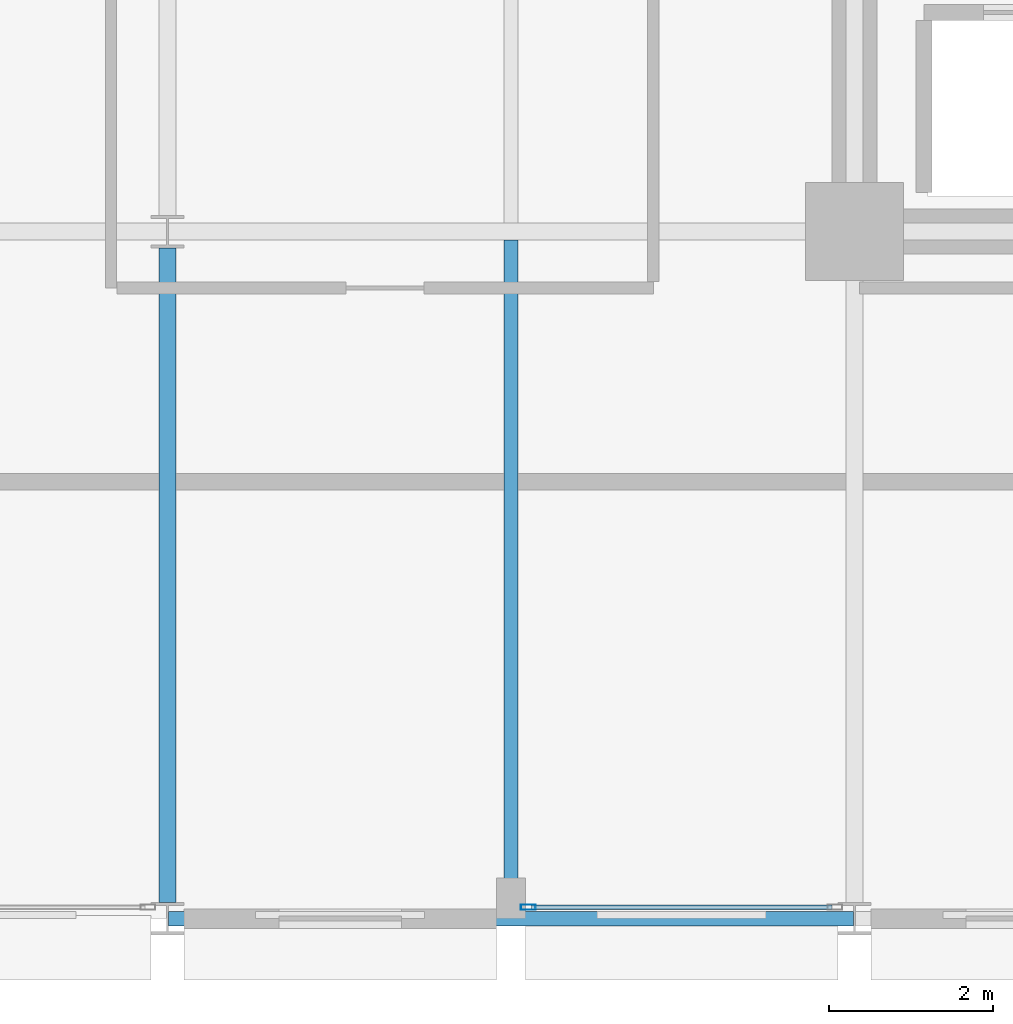
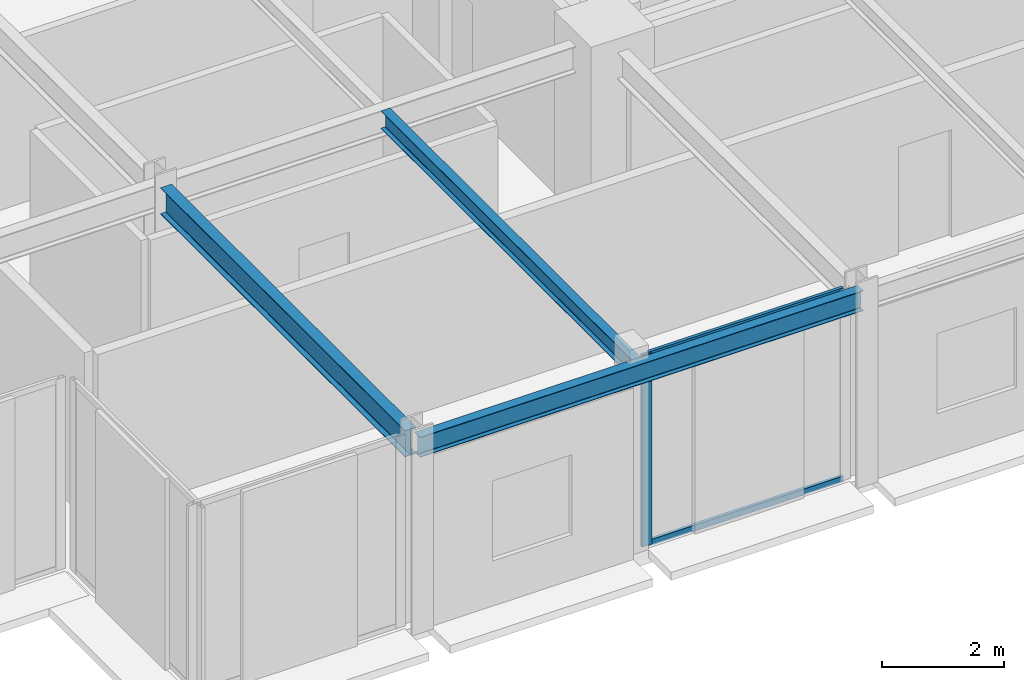
# One storey, part 3 of 30: 3 beams, 3 members, 1 element without a shape of its own.
"""IFC4 building model written with IfcOpenShell, lengths in metres."""

import ifcopenshell
import ifcopenshell.guid

model = None  # the IFC model being written
_history = None  # IfcOwnerHistory: only IFC2X3 demands one
_inside = {}  # id of a spatial element -> (the spatial element, [elements in it])
_under = {}  # id of a project, library or spatial element -> (it, [spatial elements below it])
_declared = {}  # id of a project -> (the project, [libraries it declares])
_typed = {}  # id of a type object -> (the type object, [elements of that type])
_made_of = {}  # id of a material, layer set ... -> (it, [elements and type objects made of it])


def new_model(schema):
    """Start an empty IFC model of exactly this schema.

    Asked for "IFC4X3", IfcOpenShell would pick the latest addendum, in which some entities
    have other attributes; the version numbers below select the first issue.
    IFC2X3 requires an IfcOwnerHistory on every rooted entity: one is made here for all.
    """
    global model, _history
    if schema == "IFC4X3":
        model = ifcopenshell.file(schema_version=(4, 3, 0, 0))
    else:
        model = ifcopenshell.file(schema=schema)
    _inside.clear()
    _under.clear()
    _declared.clear()
    _typed.clear()
    _made_of.clear()
    _history = None
    if model.schema == "IFC2X3":
        org = make("IfcOrganization", Name="unknown")
        user = make(
            "IfcPersonAndOrganization",
            ThePerson=make("IfcPerson", FamilyName="unknown"),
            TheOrganization=org,
        )
        app = make(
            "IfcApplication",
            ApplicationDeveloper=org,
            Version="unknown",
            ApplicationFullName="unknown",
            ApplicationIdentifier="unknown",
        )
        _history = make(
            "IfcOwnerHistory",
            OwningUser=user,
            OwningApplication=app,
            ChangeAction="ADDED",
            CreationDate=0,
        )
    return model


def make(cls, **values):
    """One entity of the class cls with the attributes given. An attribute that is None is left unset."""
    return model.create_entity(
        cls, **{name: value for name, value in values.items() if value is not None}
    )


def rooted(cls, **values):
    """An entity with a GlobalId (a new one), such as an element, a storey or a relation."""
    return make(cls, GlobalId=ifcopenshell.guid.new(), OwnerHistory=_history, **values)


def si_unit(unit_type, name, prefix=None):
    """IfcSIUnit, for example si_unit("LENGTHUNIT", "METRE", prefix="MILLI")."""
    return make("IfcSIUnit", UnitType=unit_type, Prefix=prefix, Name=name)


def assignment(units):
    """IfcUnitAssignment: the units of a project."""
    return None if units is None else make("IfcUnitAssignment", Units=units)


def point(xyz):
    """IfcCartesianPoint."""
    return None if xyz is None else make("IfcCartesianPoint", Coordinates=xyz)


def direction(xyz):
    """IfcDirection."""
    return None if xyz is None else make("IfcDirection", DirectionRatios=xyz)


def frame(location, z_axis=None, x_axis=None):
    """IfcAxis2Placement3D, a coordinate frame: its origin and axes. An axis left out is left unset."""
    return make(
        "IfcAxis2Placement3D",
        Location=point(location),
        Axis=direction(z_axis),
        RefDirection=direction(x_axis),
    )


def frame_2d(location, x_axis=None):
    """IfcAxis2Placement2D, a coordinate frame in the plane: its origin and x axis."""
    return make(
        "IfcAxis2Placement2D", Location=point(location), RefDirection=direction(x_axis)
    )


def origin():
    """The frame at (0, 0, 0) with its axes left unset."""
    return frame((0.0, 0.0, 0.0))


def origin_2d():
    """The frame at (0, 0) in the plane with its x axis left unset."""
    return frame_2d((0.0, 0.0))


def place(relative_to, where):
    """IfcLocalPlacement: puts the frame where relative to a parent placement (None: the world)."""
    return make(
        "IfcLocalPlacement", PlacementRelTo=relative_to, RelativePlacement=where
    )


def context(
    kind, dimensions, precision=None, world=None, true_north=None, identifier=None
):
    """IfcGeometricRepresentationContext, for example the 3D "Model" context."""
    return make(
        "IfcGeometricRepresentationContext",
        ContextIdentifier=identifier,
        ContextType=kind,
        CoordinateSpaceDimension=dimensions,
        Precision=precision,
        WorldCoordinateSystem=world,
        TrueNorth=true_north,
    )


def subcontext(parent, identifier, kind, view, scale=None):
    """IfcGeometricRepresentationSubContext, for example "Body" below "Model"."""
    return make(
        "IfcGeometricRepresentationSubContext",
        ContextIdentifier=identifier,
        ContextType=kind,
        ParentContext=parent,
        TargetScale=scale,
        TargetView=view,
    )


def project(units=None, contexts=None):
    """IfcProject with its units and contexts."""
    return rooted(
        "IfcProject",
        Name="project",
        RepresentationContexts=contexts,
        UnitsInContext=assignment(units),
    )


def spatial(cls, under=None, at=None, **own):
    """A site, building, storey or space (cls), placed at a placement, below another one or the project."""
    s = rooted(cls, ObjectPlacement=at, **own)
    if under is not None:
        _under.setdefault(under.id(), (under, []))[1].append(s)
    return s


def profile(cls, at=None, kind="AREA", **sizes):
    """A parametric profile (cls). Its sizes go by their IFC names, for example OverallWidth=200.0."""
    return make(cls, ProfileType=kind, Position=at, **sizes)


def hollow_rectangle(**sizes):
    """IfcRectangleHollowProfileDef."""
    return profile("IfcRectangleHollowProfileDef", **sizes)


def i_section(**sizes):
    """IfcIShapeProfileDef."""
    return profile("IfcIShapeProfileDef", **sizes)


def extrude(swept, where, along, depth):
    """IfcExtrudedAreaSolid: the profile swept, set in the frame where, extruded along a direction by depth."""
    return make(
        "IfcExtrudedAreaSolid",
        SweptArea=swept,
        Position=where,
        ExtrudedDirection=direction(along),
        Depth=depth,
    )


def shape(context_of_items, identifier, shape_type, items):
    """IfcShapeRepresentation: the items that make up one representation, for example the "Body"."""
    return make(
        "IfcShapeRepresentation",
        ContextOfItems=context_of_items,
        RepresentationIdentifier=identifier,
        RepresentationType=shape_type,
        Items=items,
    )


def material(Name=None, Category=None):
    """IfcMaterial."""
    return make("IfcMaterial", Name=Name, Category=Category)


def layer(
    of_material, thickness, ventilated=None, Name=None, Category=None, Priority=None
):
    """IfcMaterialLayer: one layer of a wall or slab, of a material (None: an air gap)."""
    return make(
        "IfcMaterialLayer",
        Material=of_material,
        LayerThickness=thickness,
        IsVentilated=ventilated,
        Name=Name,
        Category=Category,
        Priority=Priority,
    )


def layer_set(layers, Name=None):
    """IfcMaterialLayerSet."""
    return make("IfcMaterialLayerSet", MaterialLayers=layers, LayerSetName=Name)


def material_profile(
    of_material, cross_section, Name=None, Category=None, Priority=None
):
    """IfcMaterialProfile: a cross section and its material."""
    return make(
        "IfcMaterialProfile",
        Name=Name,
        Material=of_material,
        Profile=cross_section,
        Priority=Priority,
        Category=Category,
    )


def profile_set(profiles, Name=None, composite=None):
    """IfcMaterialProfileSet."""
    return make(
        "IfcMaterialProfileSet",
        Name=Name,
        MaterialProfiles=profiles,
        CompositeProfile=composite,
    )


def made_of(thing, what):
    """Note that an element or type object is made of a material, layer set ...; save() writes the relation."""
    if what is not None:
        _made_of.setdefault(what.id(), (what, []))[1].append(thing)
    return thing


def type_object(cls, material=None, **own):
    """A type object (cls), such as IfcWallType, which elements share."""
    return made_of(rooted(cls, **own), material)


def element(
    cls,
    number,
    at=None,
    inside=None,
    cuts=None,
    type_object=None,
    material=None,
    context=None,
    identifier="Body",
    shape_type=None,
    held_by="IfcProductDefinitionShape",
    body=None,
    shapes=None,
    **own,
):
    """One element of the class cls, such as IfcWall. Its Tag is "e" and its number.

    at: its placement. inside: the storey or other place that contains it. cuts: it is an
    opening in that element (IfcRelVoidsElement). A single representation is given by context,
    identifier, shape_type and body (its items); several are given by shapes. held_by: the class
    of the entity that holds the representations. save() writes the other relations.
    """
    e = rooted(cls, Tag="e%d" % number, ObjectPlacement=at, **own)
    if body is not None:
        shapes = [shape(context, identifier, shape_type, body)]
    if shapes is not None:
        e.Representation = make(held_by, Representations=shapes)
    if inside is not None:
        _inside.setdefault(inside.id(), (inside, []))[1].append(e)
    if cuts is not None:
        rooted(
            "IfcRelVoidsElement", RelatingBuildingElement=cuts, RelatedOpeningElement=e
        )
    if type_object is not None:
        _typed.setdefault(type_object.id(), (type_object, []))[1].append(e)
    return made_of(e, material)


def aggregate(whole, parts):
    """IfcRelAggregates: a whole, such as a stair, and the parts it consists of."""
    return rooted("IfcRelAggregates", RelatingObject=whole, RelatedObjects=parts)


def save(model, path):
    """Write the relations noted so far, then the file.

    IfcRelAggregates (storeys below a building ...), IfcRelContainedInSpatialStructure (elements
    in a storey), IfcRelDefinesByType, IfcRelAssociatesMaterial and IfcRelDeclares: one each for
    every whole, place, type object, material and project.
    """
    for whole, parts in _under.values():
        aggregate(whole, parts)
    for where, things in _inside.values():
        rooted(
            "IfcRelContainedInSpatialStructure",
            RelatedElements=things,
            RelatingStructure=where,
        )
    for kind, things in _typed.values():
        rooted("IfcRelDefinesByType", RelatedObjects=things, RelatingType=kind)
    for what, things in _made_of.values():
        rooted("IfcRelAssociatesMaterial", RelatedObjects=things, RelatingMaterial=what)
    for by, libraries in _declared.values():
        rooted("IfcRelDeclares", RelatingContext=by, RelatedDefinitions=libraries)
    model.write(path)


model = new_model("IFC4")

# Units and contexts
model_context = context("Model", 3, precision=1e-05, world=origin(), true_north=direction((0.0, 1.0)))
body_context = subcontext(model_context, "Body", "Model", "MODEL_VIEW")
ifc_project = project(units=[si_unit("LENGTHUNIT", "METRE"), si_unit("AREAUNIT", "SQUARE_METRE"), si_unit("VOLUMEUNIT", "CUBIC_METRE"), si_unit("PLANEANGLEUNIT", "RADIAN"), si_unit("MASSUNIT", "GRAM", prefix="KILO")], contexts=[model_context])

# Site, building, storey
site_placement = place(None, origin())
site = spatial("IfcSite", under=ifc_project, at=site_placement, CompositionType="ELEMENT")
building_placement = place(site_placement, origin())
building = spatial("IfcBuilding", under=site, at=building_placement, Name="Nerrivon Quay Data Exchange", CompositionType="ELEMENT")
storey_placement = place(building_placement, frame((0.0, 0.0, 129.5)))
storey = spatial("IfcBuildingStorey", under=building, at=storey_placement, Name="L30", CompositionType="ELEMENT", Elevation=129.5)

# Beams
ifc_material_1 = material(Name="Steel Grade 350", Category="steel")
ifc_material_profile_1 = material_profile(ifc_material_1, i_section(OverallWidth=0.208984375, OverallDepth=0.528076171875, WebThickness=0.009521484375, FlangeThickness=0.01318359375, FilletRadius=0.013916015625, at=origin_2d()), Name="530UB82.0")
ifc_profile_set_1 = profile_set([ifc_material_profile_1], Name="Steel Grade 350")
beam_type_1 = type_object("IfcBeamType", Name="BM-G4-530UB82", PredefinedType="BEAM", material=ifc_profile_set_1)
beam_1_placement = place(storey_placement, frame((8.39990234375, 0.199951171875, 3.56103515625), z_axis=(0.0, 1.0, 0.0), x_axis=(-1.0, 0.0, 0.0)))
element("IfcBeam", 1, at=beam_1_placement, inside=storey, type_object=beam_type_1, Name="L30 NS Girder X=8.4 (0.0..8.4)", PredefinedType="BEAM", context=body_context, shape_type="SweptSolid", body=[
    extrude(i_section(OverallWidth=0.208984375, OverallDepth=0.528076171875, WebThickness=0.009521484375, FlangeThickness=0.01318359375, FilletRadius=0.013916015625, at=origin_2d()), origin(), (0.0, 0.0, 1.0), 8.0),
])
ifc_material_profile_2 = material_profile(ifc_material_1, i_section(OverallWidth=0.1708984375, OverallDepth=0.35595703125, WebThickness=0.00732421875, FlangeThickness=0.011474609375, FilletRadius=0.011474609375, at=origin_2d()), Name="360UB50.7")
ifc_profile_set_2 = profile_set([ifc_material_profile_2], Name="Steel Grade 350")
beam_type_2 = type_object("IfcBeamType", Name="BM-J4-360UB51", PredefinedType="JOIST", material=ifc_profile_set_2)
beam_2_placement = place(storey_placement, frame((12.60009765625, 0.089111328125, 3.64697265625), z_axis=(0.0, 1.0, 0.0), x_axis=(-1.0, 0.0, 0.0)))
element("IfcBeam", 2, at=beam_2_placement, inside=storey, type_object=beam_type_2, Name="L30 Secondary Joist X=12.6 (0.0..8.4)", PredefinedType="JOIST", context=body_context, shape_type="SweptSolid", body=[
    extrude(i_section(OverallWidth=0.1708984375, OverallDepth=0.35595703125, WebThickness=0.00732421875, FlangeThickness=0.011474609375, FilletRadius=0.011474609375, at=origin_2d()), origin(), (0.0, 0.0, 1.0), 8.206298828125),
])
ifc_material_profile_3 = material_profile(ifc_material_1, i_section(OverallWidth=0.177978515625, OverallDepth=0.403076171875, WebThickness=0.007568359375, FlangeThickness=0.010986328125, FilletRadius=0.011474609375, at=origin_2d()), Name="410UB53.7")
ifc_profile_set_3 = profile_set([ifc_material_profile_3], Name="Steel Grade 350")
beam_type_3 = type_object("IfcBeamType", Name="BM-SP2-410UB54", PredefinedType="SPANDREL", material=ifc_profile_set_3)
beam_3_placement = place(storey_placement, frame((8.41259765625, 0.0, 3.62353515625), z_axis=(1.0, 0.0, 0.0), x_axis=(0.0, 1.0, 0.0)))
element("IfcBeam", 3, at=beam_3_placement, inside=storey, type_object=beam_type_3, Name="L30 EW Girder Y=0.0 (8.4..16.8)", PredefinedType="SPANDREL", context=body_context, shape_type="SweptSolid", body=[
    extrude(i_section(OverallWidth=0.177978515625, OverallDepth=0.403076171875, WebThickness=0.007568359375, FlangeThickness=0.010986328125, FilletRadius=0.011474609375, at=origin_2d()), origin(), (0.0, 0.0, 1.0), 8.375),
])

# Curtain wall, members
ifc_material_2 = material(Name="Anodised aluminium 6063-T6", Category="aluminium")
ifc_layer = layer(ifc_material_2, 0.2099609375)
ifc_layer_set = layer_set([ifc_layer], Name="Anodised aluminium 6063-T6")
curtain_wall_type = type_object("IfcCurtainWallType", Name="CW-SYS-02", PredefinedType="NOTDEFINED", material=ifc_layer_set)
curtain_wall_placement = place(storey_placement, origin())
curtain_wall = element("IfcCurtainWall", 4, at=curtain_wall_placement, inside=storey, type_object=curtain_wall_type, Name="L30 Unitised Curtain Wall 6", PredefinedType="NOTDEFINED")
ifc_material_profile_4 = material_profile(ifc_material_2, hollow_rectangle(XDim=0.06494140625, YDim=0.179931640625, WallThickness=0.00341796875, at=origin_2d()), Name="ALU-MULL-180x65")
ifc_profile_set_4 = profile_set([ifc_material_profile_4], Name="Anodised aluminium 6063-T6")
member_type_1 = type_object("IfcMemberType", Name="CWM-180x65", PredefinedType="MULLION", material=ifc_profile_set_4)
member_1_placement = place(storey_placement, frame((12.8125, 0.139892578125, 0.0), z_axis=(0.0, 0.0, 1.0), x_axis=(0.0, -1.0, 0.0)))
member_1 = element("IfcMember", 5, at=member_1_placement, type_object=member_type_1, Name="CW02 mullion 2", PredefinedType="MULLION", context=body_context, shape_type="SweptSolid", body=[
    extrude(hollow_rectangle(XDim=0.06494140625, YDim=0.179931640625, WallThickness=0.00341796875, at=origin_2d()), origin(), (0.0, 0.0, 1.0), 3.824951171875),
])
ifc_material_profile_5 = material_profile(ifc_material_2, hollow_rectangle(XDim=0.06005859375, YDim=0.1201171875, WallThickness=0.003173828125, at=origin_2d()), Name="ALU-TRAN-120x60")
ifc_profile_set_5 = profile_set([ifc_material_profile_5], Name="Anodised aluminium 6063-T6")
member_type_2 = type_object("IfcMemberType", Name="CWT-120x60", PredefinedType="USERDEFINED", material=ifc_profile_set_5)
member_2_placement = place(storey_placement, frame((16.52490234375, 0.139892578125, 0.032470703125), z_axis=(-1.0, 0.0, 0.0), x_axis=(0.0, -1.0, 0.0)))
member_2 = element("IfcMember", 6, at=member_2_placement, type_object=member_type_2, Name="CW02 transom 1.1", ObjectType="TRANSOM", PredefinedType="USERDEFINED", context=body_context, shape_type="SweptSolid", body=[
    extrude(hollow_rectangle(XDim=0.06005859375, YDim=0.1201171875, WallThickness=0.003173828125, at=origin_2d()), origin(), (0.0, 0.0, 1.0), 3.6748046875),
])
member_3_placement = place(storey_placement, frame((16.52490234375, 0.139892578125, 3.79248046875), z_axis=(-1.0, 0.0, 0.0), x_axis=(0.0, -1.0, 0.0)))
member_3 = element("IfcMember", 7, at=member_3_placement, type_object=member_type_2, Name="CW02 transom 1.2", ObjectType="TRANSOM", PredefinedType="USERDEFINED", context=body_context, shape_type="SweptSolid", body=[
    extrude(hollow_rectangle(XDim=0.06005859375, YDim=0.1201171875, WallThickness=0.003173828125, at=origin_2d()), origin(), (0.0, 0.0, 1.0), 3.6748046875),
])
aggregate(curtain_wall, [member_1, member_2, member_3])

save(model, "model.ifc")
